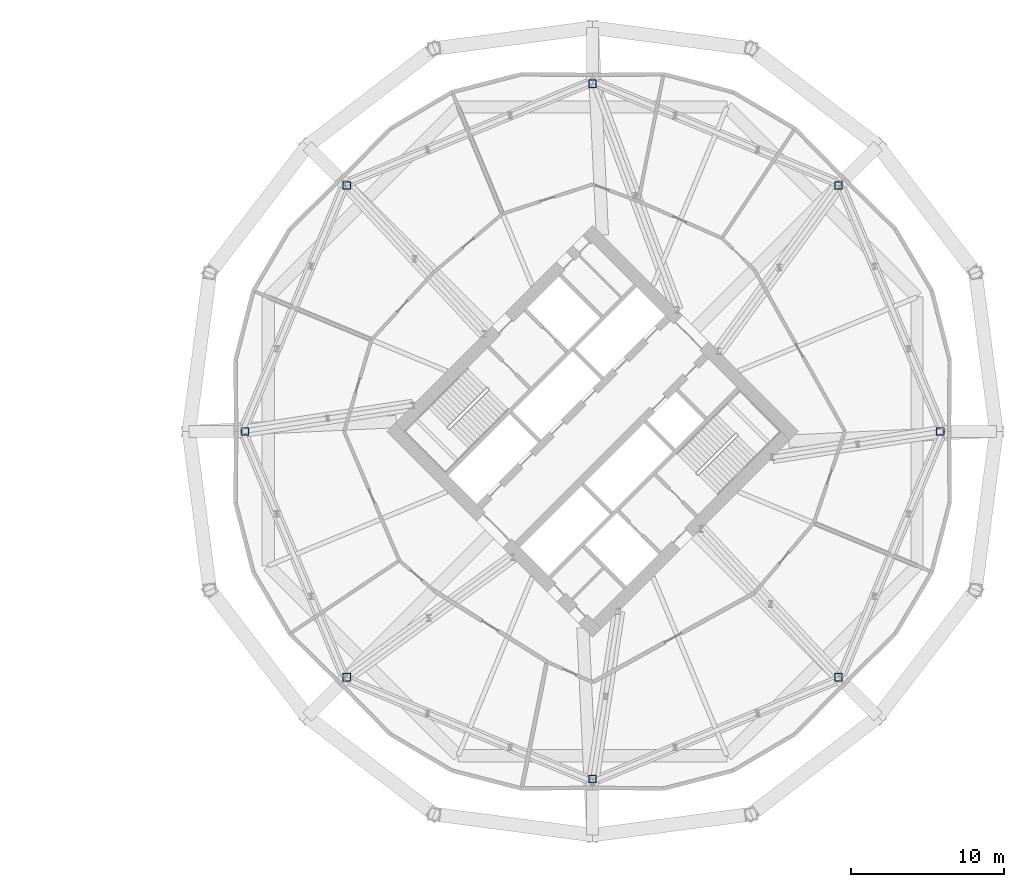
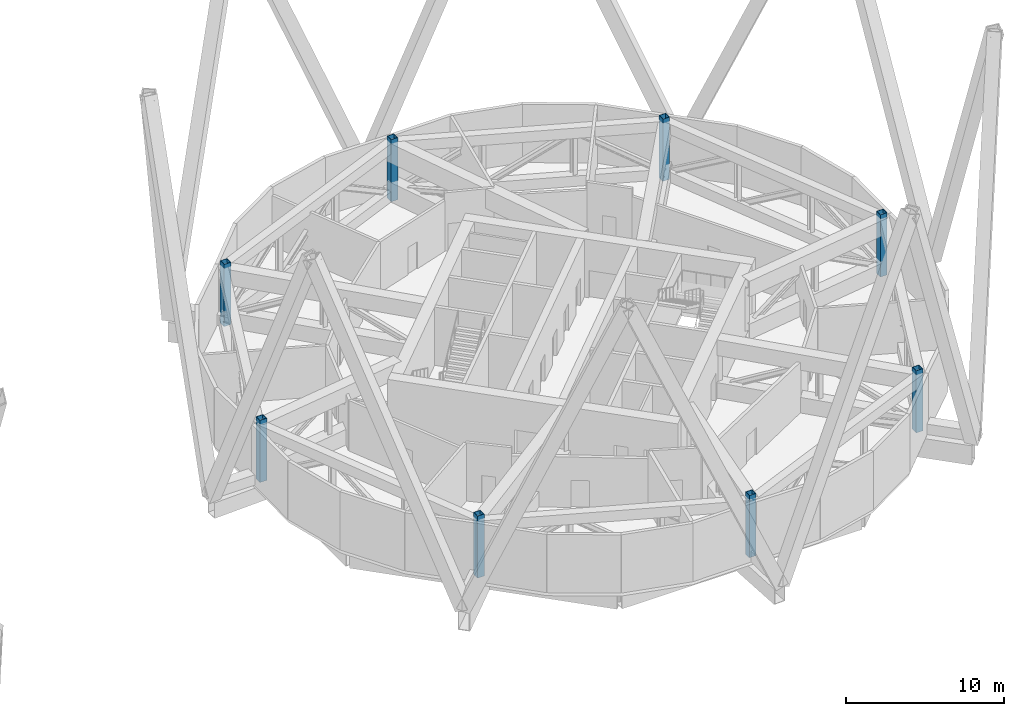
# One storey, part 2 of 21: 8 columns.
"""IFC4 building model written with IfcOpenShell, lengths in metres."""

from ifc_helpers import new_model, si_unit, direction, frame, origin, origin_2d, place, context, subcontext, project, spatial, hollow_rectangle, extrude, material, material_profile, profile_set, type_object, element, save


model = new_model("IFC4")

# Units and contexts
model_context = context("Model", 3, precision=1e-05, world=origin(), true_north=direction((0.0, 1.0)))
body_context = subcontext(model_context, "Body", "Model", "MODEL_VIEW")
ifc_project = project(units=[si_unit("LENGTHUNIT", "METRE"), si_unit("AREAUNIT", "SQUARE_METRE"), si_unit("VOLUMEUNIT", "CUBIC_METRE"), si_unit("PLANEANGLEUNIT", "RADIAN"), si_unit("MASSUNIT", "GRAM", prefix="KILO")], contexts=[model_context])

# Site, building, storey
site_placement = place(None, origin())
site = spatial("IfcSite", under=ifc_project, at=site_placement, CompositionType="ELEMENT")
building_placement = place(site_placement, origin())
building = spatial("IfcBuilding", under=site, at=building_placement, Name="Ogive Gate Towers", CompositionType="ELEMENT")
storey_placement = place(building_placement, frame((0.0, 0.0, 71.39990234375)))
storey = spatial("IfcBuildingStorey", under=building, at=storey_placement, Name="L16", CompositionType="ELEMENT", Elevation=71.39990234375)

# Columns
ifc_material = material(Name="Steel SM460", Category="steel")
ifc_material_profile = material_profile(ifc_material, hollow_rectangle(XDim=0.5, YDim=0.5, WallThickness=0.030029296875, at=origin_2d()), Name="BX 500x500x30")
ifc_profile_set = profile_set([ifc_material_profile], Name="Steel SM460")
column_type = type_object("IfcColumnType", Name="Perimeter post BX 500x500x30", PredefinedType="COLUMN", material=ifc_profile_set)
for number, where, z_axis, x_axis, name in (
    (1, (58.669921875, 0.0, 0.0), (0.0, 0.0, 1.0), (1.0, 0.0, 0.0), "T2/L16/SCL001"),
    (2, (52.030029296875, 16.030029296875, 0.0), (0.0, 0.0, 1.0), (1.0, 0.0, 0.0), "T2/L16/SCL002"),
    (3, (36.0, 22.669921875, 0.0), (0.0, 0.0, 1.0), (1.0, 0.0, 0.0), "T2/L16/SCL003"),
    (4, (19.969970703125, 16.030029296875, 0.0), (0.0, 0.0, 1.0), (1.0, 0.0, 0.0), "T2/L16/SCL004"),
    (5, (13.330078125, 0.0, 0.0), (0.0, 0.0, 1.0), (1.0, 0.0, 0.0), "T2/L16/SCL005"),
    (6, (19.969970703125, -16.030029296875, 0.0), (0.0, 0.0, 1.0), (1.0, 0.0, 0.0), "T2/L16/SCL006"),
    (7, (36.0, -22.669921875, 0.0), (0.0, 0.0, 1.0), (1.0, 0.0, 0.0), "T2/L16/SCL007"),
    (8, (52.030029296875, -16.030029296875, 0.0), (0.0, 0.0, 1.0), (1.0, 0.0, 0.0), "T2/L16/SCL008"),
):
    element("IfcColumn", number, at=place(storey_placement, frame(where, z_axis=z_axis, x_axis=x_axis)), inside=storey, type_object=column_type, Name=name, PredefinedType="COLUMN", context=body_context, shape_type="SweptSolid", body=[
        extrude(hollow_rectangle(XDim=0.5, YDim=0.5, WallThickness=0.030029296875, at=origin_2d()), origin(), (0.0, 0.0, 1.0), 4.800048828125),
    ])

save(model, "model.ifc")
